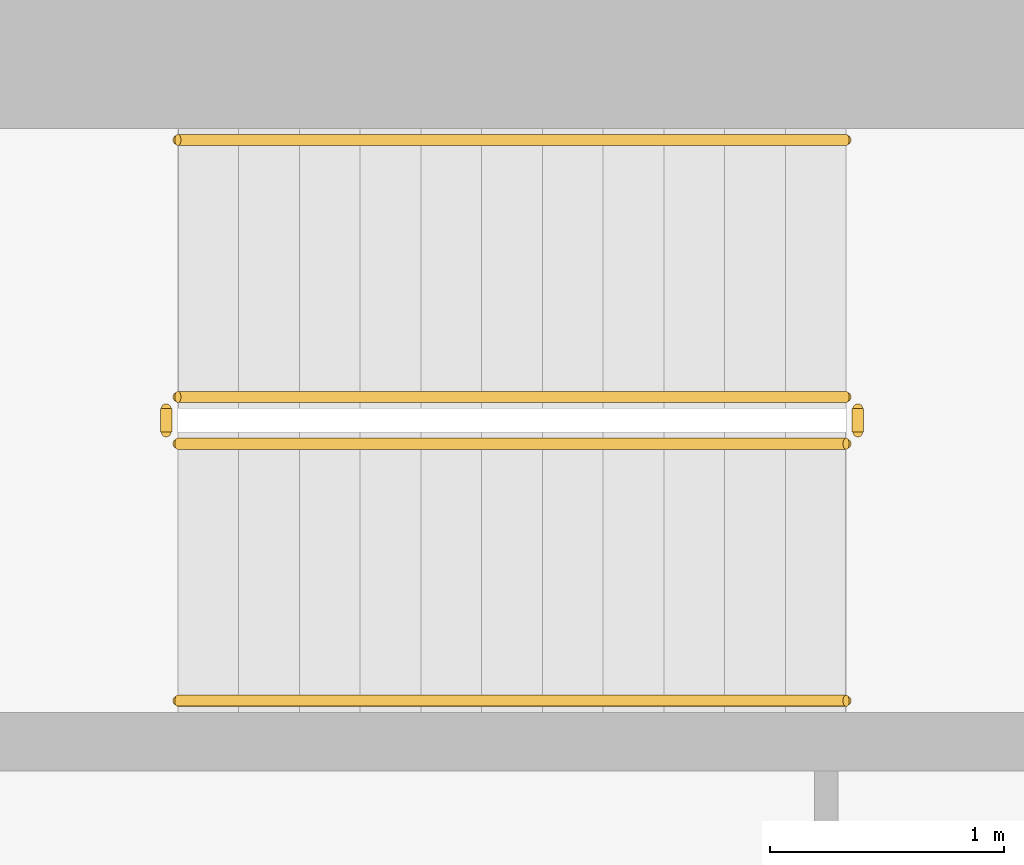
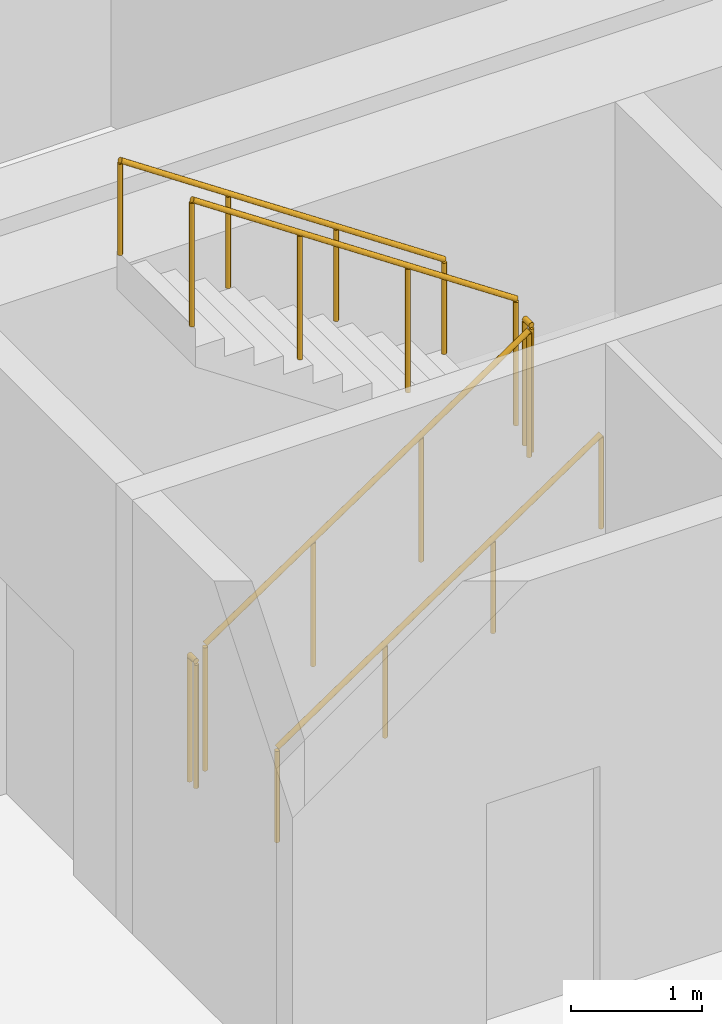
# One storey, part 18 of 22: 6 railings.
"""IFC4 building model written with IfcOpenShell, lengths in metres."""

from ifc_helpers import new_model, si_unit, direction, frame, origin, origin_2d, place, context, subcontext, project, spatial, circle, extrude, material, type_object, element, save


model = new_model("IFC4")

# Units and contexts
model_context = context("Model", 3, precision=1e-05, world=origin(), true_north=direction((0.0, 1.0)))
body_context = subcontext(model_context, "Body", "Model", "MODEL_VIEW")
ifc_project = project(units=[si_unit("LENGTHUNIT", "METRE"), si_unit("AREAUNIT", "SQUARE_METRE"), si_unit("VOLUMEUNIT", "CUBIC_METRE"), si_unit("PLANEANGLEUNIT", "RADIAN"), si_unit("MASSUNIT", "GRAM", prefix="KILO")], contexts=[model_context])

# Site, building, storey
site_placement = place(None, origin())
site = spatial("IfcSite", under=ifc_project, at=site_placement, CompositionType="ELEMENT")
building_placement = place(site_placement, origin())
building = spatial("IfcBuilding", under=site, at=building_placement, Name="Sahrelin Media Tower", CompositionType="ELEMENT")
storey_placement = place(building_placement, frame((0.0, 0.0, 50.39990234375)))
storey = spatial("IfcBuildingStorey", under=building, at=storey_placement, Name="L07", CompositionType="ELEMENT", Elevation=50.39990234375)

# Railings
ifc_material = material(Name="Steel S355", Category="steel")
railing_type_1 = type_object("IfcRailingType", Name="Stair guard 1200", PredefinedType="GUARDRAIL", material=ifc_material)
railing_1_placement = place(storey_placement, frame((-7.675048828125, 5.25, 0.175048828125)))
element("IfcRailing", 1, at=railing_1_placement, inside=storey, type_object=railing_type_1, Name="L07 ST1 stair guard 1", PredefinedType="GUARDRAIL", context=body_context, shape_type="SweptSolid", body=[
    extrude(circle(Radius=0.02392578125, at=origin_2d()), frame((0.0, 0.0, 1.17578125), z_axis=(0.829590901723, 0.0, 0.558371682465), x_axis=(0.0, 1.0, 0.0)), (0.0, 0.0, 1.0), 3.447509765625),
    extrude(circle(Radius=0.02099609375, at=origin_2d()), origin(), (0.0, 0.0, 1.0), 1.15185546875),
    extrude(circle(Radius=0.02099609375, at=origin_2d()), frame((0.953369140625, 0.0, 0.6416015625)), (0.0, 0.0, 1.0), 1.15185546875),
    extrude(circle(Radius=0.02099609375, at=origin_2d()), frame((1.90673828125, 0.0, 1.283447265625)), (0.0, 0.0, 1.0), 1.15185546875),
    extrude(circle(Radius=0.02099609375, at=origin_2d()), frame((2.860107421875, 0.0, 1.925048828125)), (0.0, 0.0, 1.0), 1.15185546875),
])
railing_2_placement = place(storey_placement, frame((-4.764892578125, 5.300048828125, 2.10009765625)))
element("IfcRailing", 2, at=railing_2_placement, inside=storey, type_object=railing_type_1, Name="L07 ST1 stair guard 2", PredefinedType="GUARDRAIL", context=body_context, shape_type="SweptSolid", body=[
    extrude(circle(Radius=0.02392578125, at=origin_2d()), frame((0.0, 0.0, 1.17578125), z_axis=(0.0, 1.0, 0.0), x_axis=(-1.0, 0.0, 0.0)), (0.0, 0.0, 1.0), 0.099853515625),
    extrude(circle(Radius=0.02099609375, at=origin_2d()), origin(), (0.0, 0.0, 1.0), 1.15185546875),
    extrude(circle(Radius=0.02099609375, at=origin_2d()), frame((0.0, 0.099853515625, 0.0)), (0.0, 0.0, 1.0), 1.15185546875),
])
railing_3_placement = place(storey_placement, frame((-4.81494140625, 5.449951171875, 2.275146484375)))
element("IfcRailing", 3, at=railing_3_placement, inside=storey, type_object=railing_type_1, Name="L07 ST1 stair guard 3", PredefinedType="GUARDRAIL", context=body_context, shape_type="SweptSolid", body=[
    extrude(circle(Radius=0.02392578125, at=origin_2d()), frame((0.0, 0.0, 1.17578125), z_axis=(-0.829590901723, 0.0, 0.558371682465), x_axis=(0.0, -1.0, 0.0)), (0.0, 0.0, 1.0), 3.447509765625),
    extrude(circle(Radius=0.02099609375, at=origin_2d()), origin(), (0.0, 0.0, 1.0), 1.15185546875),
    extrude(circle(Radius=0.02099609375, at=origin_2d()), frame((-0.953369140625, 0.0, 0.6416015625)), (0.0, 0.0, 1.0), 1.15185546875),
    extrude(circle(Radius=0.02099609375, at=origin_2d()), frame((-1.90673828125, 0.0, 1.283447265625)), (0.0, 0.0, 1.0), 1.15185546875),
    extrude(circle(Radius=0.02099609375, at=origin_2d()), frame((-2.860107421875, 0.0, 1.925048828125)), (0.0, 0.0, 1.0), 1.15185546875),
])
railing_4_placement = place(storey_placement, frame((-7.72509765625, 5.300048828125, 0.0)))
element("IfcRailing", 4, at=railing_4_placement, inside=storey, type_object=railing_type_1, Name="L07 ST1 stair guard 4", PredefinedType="GUARDRAIL", context=body_context, shape_type="SweptSolid", body=[
    extrude(circle(Radius=0.02392578125, at=origin_2d()), frame((0.0, 0.0, 1.17578125), z_axis=(0.0, 1.0, 0.0), x_axis=(-1.0, 0.0, 0.0)), (0.0, 0.0, 1.0), 0.099853515625),
    extrude(circle(Radius=0.02099609375, at=origin_2d()), origin(), (0.0, 0.0, 1.0), 1.15185546875),
    extrude(circle(Radius=0.02099609375, at=origin_2d()), frame((0.0, 0.099853515625, 0.0)), (0.0, 0.0, 1.0), 1.15185546875),
])
railing_type_2 = type_object("IfcRailingType", Name="Stair handrail 900", PredefinedType="HANDRAIL", material=ifc_material)
railing_5_placement = place(storey_placement, frame((-7.675048828125, 4.14990234375, 0.175048828125)))
element("IfcRailing", 5, at=railing_5_placement, inside=storey, type_object=railing_type_2, Name="L07 ST1 stair handrail 1", PredefinedType="HANDRAIL", context=body_context, shape_type="SweptSolid", body=[
    extrude(circle(Radius=0.02392578125, at=origin_2d()), frame((0.0, 0.0, 0.8759765625), z_axis=(0.829590901723, 0.0, 0.558371682465), x_axis=(0.0, 1.0, 0.0)), (0.0, 0.0, 1.0), 3.447509765625),
    extrude(circle(Radius=0.02099609375, at=origin_2d()), origin(), (0.0, 0.0, 1.0), 0.851806640625),
    extrude(circle(Radius=0.02099609375, at=origin_2d()), frame((0.953369140625, 0.0, 0.6416015625)), (0.0, 0.0, 1.0), 0.851806640625),
    extrude(circle(Radius=0.02099609375, at=origin_2d()), frame((1.90673828125, 0.0, 1.283447265625)), (0.0, 0.0, 1.0), 0.851806640625),
    extrude(circle(Radius=0.02099609375, at=origin_2d()), frame((2.860107421875, 0.0, 1.925048828125)), (0.0, 0.0, 1.0), 0.851806640625),
])
railing_6_placement = place(storey_placement, frame((-4.81494140625, 6.550048828125, 2.275146484375)))
element("IfcRailing", 6, at=railing_6_placement, inside=storey, type_object=railing_type_2, Name="L07 ST1 stair handrail 2", PredefinedType="HANDRAIL", context=body_context, shape_type="SweptSolid", body=[
    extrude(circle(Radius=0.02392578125, at=origin_2d()), frame((0.0, 0.0, 0.8759765625), z_axis=(-0.829590901723, 0.0, 0.558371682465), x_axis=(0.0, -1.0, 0.0)), (0.0, 0.0, 1.0), 3.447509765625),
    extrude(circle(Radius=0.02099609375, at=origin_2d()), origin(), (0.0, 0.0, 1.0), 0.851806640625),
    extrude(circle(Radius=0.02099609375, at=origin_2d()), frame((-0.953369140625, 0.0, 0.6416015625)), (0.0, 0.0, 1.0), 0.851806640625),
    extrude(circle(Radius=0.02099609375, at=origin_2d()), frame((-1.90673828125, 0.0, 1.283447265625)), (0.0, 0.0, 1.0), 0.851806640625),
    extrude(circle(Radius=0.02099609375, at=origin_2d()), frame((-2.860107421875, 0.0, 1.925048828125)), (0.0, 0.0, 1.0), 0.851806640625),
])

save(model, "model.ifc")
